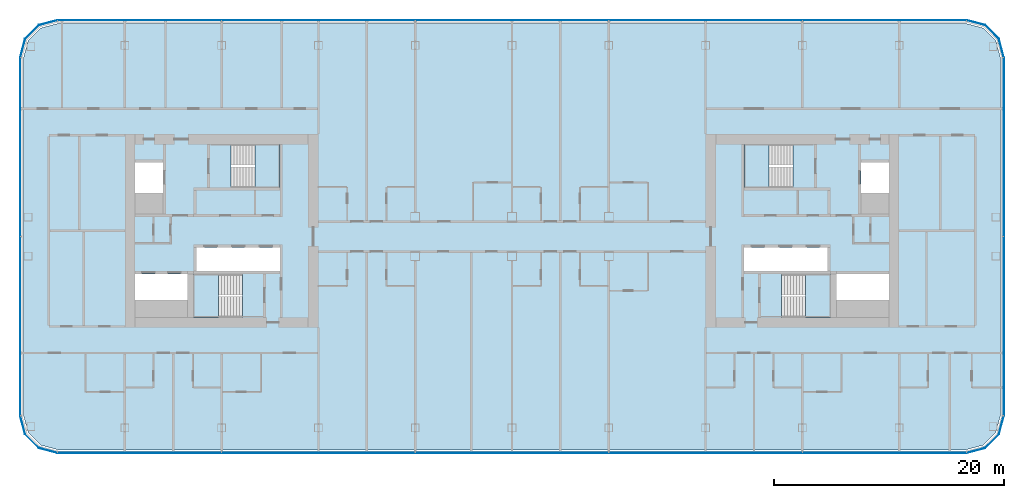
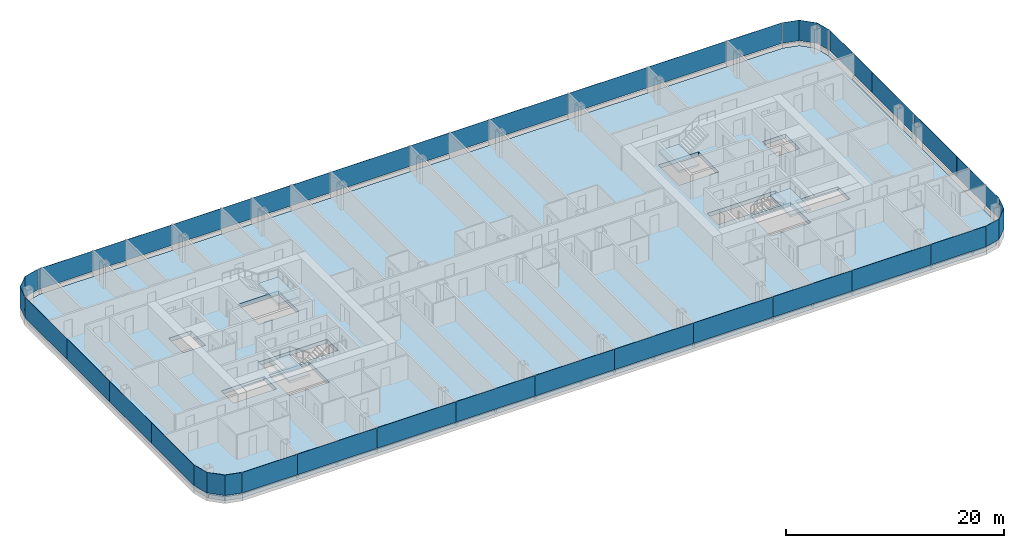
# One storey, part 11 of 26: 32 plates, 5 slabs, 12 elements without a shape of their own.
"""IFC4 building model written with IfcOpenShell, lengths in metres."""

from ifc_helpers import new_model, si_unit, direction, frame, origin, origin_2d, place, context, subcontext, project, spatial, polyline, rectangle, outline, extrude, material, layer, layer_set, type_object, element, aggregate, save


model = new_model("IFC4")

# Units and contexts
model_context = context("Model", 3, precision=1e-05, world=origin(), true_north=direction((0.0, 1.0)))
body_context = subcontext(model_context, "Body", "Model", "MODEL_VIEW")
ifc_project = project(units=[si_unit("LENGTHUNIT", "METRE"), si_unit("AREAUNIT", "SQUARE_METRE"), si_unit("VOLUMEUNIT", "CUBIC_METRE"), si_unit("PLANEANGLEUNIT", "RADIAN"), si_unit("MASSUNIT", "GRAM", prefix="KILO")], contexts=[model_context])

# Site, building, storey
site_placement = place(None, origin())
site = spatial("IfcSite", under=ifc_project, at=site_placement, CompositionType="ELEMENT")
building_placement = place(site_placement, origin())
building = spatial("IfcBuilding", under=site, at=building_placement, Name="Hakoniwa Tower and Hamabe Station Hall", CompositionType="ELEMENT")
storey_placement = place(building_placement, frame((0.0, 0.0, 156.60009765625)))
storey = spatial("IfcBuildingStorey", under=building, at=storey_placement, Name="L44", CompositionType="ELEMENT", Elevation=156.60009765625)

# Stair, slab
ifc_material_1 = material(Name="Concrete C40", Category="concrete")
stair_type = type_object("IfcStairType", Name="ESCAPE STAIR 1800", PredefinedType="HALF_TURN_STAIR", material=ifc_material_1)
stair_1_placement = place(storey_placement, origin())
stair_1 = element("IfcStair", 1, at=stair_1_placement, inside=storey, type_object=stair_type, Name="Escape stair ST-1 L44", PredefinedType="HALF_TURN_STAIR")
ifc_material_2 = material(Name="Concrete C40", Category="concrete")
ifc_layer_1 = layer(ifc_material_2, 0.25)
ifc_layer_set_1 = layer_set([ifc_layer_1], Name="CORE STAIR LANDING 250")
slab_type_1 = type_object("IfcSlabType", Name="CORE STAIR LANDING 250", PredefinedType="LANDING", material=ifc_layer_set_1)
slab_1_placement = place(storey_placement, frame((0.0, 0.0, 1.349853515625)))
slab_1 = element("IfcSlab", 2, at=slab_1_placement, type_object=slab_type_1, Name="ST-1 landing 1", PredefinedType="LANDING", context=body_context, shape_type="SweptSolid", body=[
    extrude(outline(polyline([(-22.320068359375, 3.75), (-20.14990234375, 3.75), (-20.14990234375, 7.5), (-22.320068359375, 7.5), (-22.320068359375, 3.75)])), origin(), (0.0, 0.0, 1.0), 0.25),
])
aggregate(stair_1, [slab_1])

stair_2_placement = place(storey_placement, origin())
stair_2 = element("IfcStair", 3, at=stair_2_placement, inside=storey, type_object=stair_type, Name="Escape stair ST-2 L44", PredefinedType="HALF_TURN_STAIR")
slab_2_placement = place(storey_placement, frame((0.0, 0.0, 1.349853515625)))
slab_2 = element("IfcSlab", 4, at=slab_2_placement, type_object=slab_type_1, Name="ST-2 landing 1", PredefinedType="LANDING", context=body_context, shape_type="SweptSolid", body=[
    extrude(outline(polyline([(-25.47998046875, -7.5), (-27.64990234375, -7.5), (-27.64990234375, -3.75), (-25.47998046875, -3.75), (-25.47998046875, -7.5)])), origin(), (0.0, 0.0, 1.0), 0.25),
])
aggregate(stair_2, [slab_2])

stair_3_placement = place(storey_placement, origin())
stair_3 = element("IfcStair", 5, at=stair_3_placement, inside=storey, type_object=stair_type, Name="Escape stair ST-3 L44", PredefinedType="HALF_TURN_STAIR")
slab_3_placement = place(storey_placement, frame((0.0, 0.0, 1.349853515625)))
slab_3 = element("IfcSlab", 6, at=slab_3_placement, type_object=slab_type_1, Name="ST-3 landing 1", PredefinedType="LANDING", context=body_context, shape_type="SweptSolid", body=[
    extrude(outline(polyline([(22.320068359375, 3.75), (20.14990234375, 3.75), (20.14990234375, 7.5), (22.320068359375, 7.5), (22.320068359375, 3.75)])), origin(), (0.0, 0.0, 1.0), 0.25),
])
aggregate(stair_3, [slab_3])

stair_4_placement = place(storey_placement, origin())
stair_4 = element("IfcStair", 7, at=stair_4_placement, inside=storey, type_object=stair_type, Name="Escape stair ST-4 L44", PredefinedType="HALF_TURN_STAIR")
slab_4_placement = place(storey_placement, frame((0.0, 0.0, 1.349853515625)))
slab_4 = element("IfcSlab", 8, at=slab_4_placement, type_object=slab_type_1, Name="ST-4 landing 1", PredefinedType="LANDING", context=body_context, shape_type="SweptSolid", body=[
    extrude(outline(polyline([(25.47998046875, -7.5), (27.64990234375, -7.5), (27.64990234375, -3.75), (25.47998046875, -3.75), (25.47998046875, -7.5)])), origin(), (0.0, 0.0, 1.0), 0.25),
])
aggregate(stair_4, [slab_4])

# Curtain wall, plates
ifc_material_3 = material(Name="Dark low-e laminated glass", Category="glass")
ifc_layer_2 = layer(ifc_material_3, 0.199951171875)
ifc_layer_set_2 = layer_set([ifc_layer_2], Name="CW-1 UNITISED GUEST")
curtain_wall_type = type_object("IfcCurtainWallType", Name="CW-1 UNITISED GUEST", PredefinedType="NOTDEFINED", material=ifc_layer_set_2)
curtain_wall_1_placement = place(storey_placement, origin())
curtain_wall_1 = element("IfcCurtainWall", 9, at=curtain_wall_1_placement, inside=storey, type_object=curtain_wall_type, Name="CW-1 curtain wall", PredefinedType="NOTDEFINED")
ifc_material_4 = material(Name="Dark low-e laminated glass", Category="glass")
ifc_layer_3 = layer(ifc_material_4, 0.028076171875)
ifc_layer_set_3 = layer_set([ifc_layer_3], Name="CW-1 GLASS UNIT")
plate_type = type_object("IfcPlateType", Name="CW-1 GLASS UNIT", PredefinedType="CURTAIN_PANEL", material=ifc_layer_set_3)
plate_1_placement = place(storey_placement, frame((42.68603515625, -12.154541015625, 0.35009765625), z_axis=(0.0, 0.0, 1.0), x_axis=(0.0, 1.0, 0.0)))
plate_1 = element("IfcPlate", 10, at=plate_1_placement, type_object=plate_type, Name="CW-1 glass unit", PredefinedType="CURTAIN_PANEL", context=body_context, shape_type="SweptSolid", body=[
    extrude(rectangle(XDim=7.749755859375, YDim=0.028076171875, at=origin_2d()), origin(), (0.0, 0.0, 1.0), 2.300048828125),
])
plate_2_placement = place(storey_placement, frame((42.68603515625, -4.384765625, 0.35009765625), z_axis=(0.0, 0.0, 1.0), x_axis=(0.0, 1.0, 0.0)))
plate_2 = element("IfcPlate", 11, at=plate_2_placement, type_object=plate_type, Name="CW-1 glass unit", PredefinedType="CURTAIN_PANEL", context=body_context, shape_type="SweptSolid", body=[
    extrude(rectangle(XDim=7.749755859375, YDim=0.028076171875, at=origin_2d()), origin(), (0.0, 0.0, 1.0), 2.300048828125),
])
plate_3_placement = place(storey_placement, frame((42.68603515625, 3.384765625, 0.35009765625), z_axis=(0.0, 0.0, 1.0), x_axis=(0.0, 1.0, 0.0)))
plate_3 = element("IfcPlate", 12, at=plate_3_placement, type_object=plate_type, Name="CW-1 glass unit", PredefinedType="CURTAIN_PANEL", context=body_context, shape_type="SweptSolid", body=[
    extrude(rectangle(XDim=7.749755859375, YDim=0.028076171875, at=origin_2d()), origin(), (0.0, 0.0, 1.0), 2.300048828125),
])
plate_4_placement = place(storey_placement, frame((42.68603515625, 11.154541015625, 0.35009765625), z_axis=(0.0, 0.0, 1.0), x_axis=(0.0, 1.0, 0.0)))
plate_4 = element("IfcPlate", 13, at=plate_4_placement, type_object=plate_type, Name="CW-1 glass unit", PredefinedType="CURTAIN_PANEL", context=body_context, shape_type="SweptSolid", body=[
    extrude(rectangle(XDim=7.749755859375, YDim=0.028076171875, at=origin_2d()), origin(), (0.0, 0.0, 1.0), 2.300048828125),
])
aggregate(curtain_wall_1, [plate_1, plate_2, plate_3, plate_4])

# Curtain wall, plate
curtain_wall_2_placement = place(storey_placement, origin())
curtain_wall_2 = element("IfcCurtainWall", 14, at=curtain_wall_2_placement, inside=storey, type_object=curtain_wall_type, Name="CW-1 curtain wall", PredefinedType="NOTDEFINED")
plate_5_placement = place(storey_placement, frame((0.0, 0.0, 0.349853515625)))
plate_5 = element("IfcPlate", 15, at=plate_5_placement, type_object=plate_type, Name="CW-1 curved corner unit", PredefinedType="CURTAIN_PANEL", context=body_context, shape_type="SweptSolid", body=[
    extrude(outline(polyline([(42.689697265625, 15.078125), (42.26708984375, 16.6552734375), (41.05517578125, 17.866943359375), (39.47802734375, 18.28955078125), (39.470947265625, 18.2626953125), (41.040771484375, 17.842041015625), (42.241943359375, 16.640869140625), (42.66259765625, 15.07080078125), (42.689697265625, 15.078125)])), origin(), (0.0, 0.0, 1.0), 2.300048828125),
])
aggregate(curtain_wall_2, [plate_5])

# Curtain wall, plates
curtain_wall_3_placement = place(storey_placement, origin())
curtain_wall_3 = element("IfcCurtainWall", 16, at=curtain_wall_3_placement, inside=storey, type_object=curtain_wall_type, Name="CW-1 curtain wall", PredefinedType="NOTDEFINED")
plate_6_placement = place(storey_placement, frame((36.519775390625, 18.285888671875, 0.35009765625), z_axis=(0.0, 0.0, 1.0), x_axis=(-1.0, 0.0, 0.0)))
plate_6 = element("IfcPlate", 17, at=plate_6_placement, type_object=plate_type, Name="CW-1 glass unit", PredefinedType="CURTAIN_PANEL", context=body_context, shape_type="SweptSolid", body=[
    extrude(rectangle(XDim=5.819580078125, YDim=0.028076171875, at=origin_2d()), origin(), (0.0, 0.0, 1.0), 2.300048828125),
])
plate_7_placement = place(storey_placement, frame((29.39990234375, 18.285888671875, 0.35009765625), z_axis=(0.0, 0.0, 1.0), x_axis=(-1.0, 0.0, 0.0)))
plate_7 = element("IfcPlate", 18, at=plate_7_placement, type_object=plate_type, Name="CW-1 glass unit", PredefinedType="CURTAIN_PANEL", context=body_context, shape_type="SweptSolid", body=[
    extrude(rectangle(XDim=8.3798828125, YDim=0.028076171875, at=origin_2d()), origin(), (0.0, 0.0, 1.0), 2.300048828125),
])
plate_8_placement = place(storey_placement, frame((21.0, 18.285888671875, 0.35009765625), z_axis=(0.0, 0.0, 1.0), x_axis=(-1.0, 0.0, 0.0)))
plate_8 = element("IfcPlate", 19, at=plate_8_placement, type_object=plate_type, Name="CW-1 glass unit", PredefinedType="CURTAIN_PANEL", context=body_context, shape_type="SweptSolid", body=[
    extrude(rectangle(XDim=8.3798828125, YDim=0.028076171875, at=origin_2d()), origin(), (0.0, 0.0, 1.0), 2.300048828125),
])
plate_9_placement = place(storey_placement, frame((12.60009765625, 18.285888671875, 0.35009765625), z_axis=(0.0, 0.0, 1.0), x_axis=(-1.0, 0.0, 0.0)))
plate_9 = element("IfcPlate", 20, at=plate_9_placement, type_object=plate_type, Name="CW-1 glass unit", PredefinedType="CURTAIN_PANEL", context=body_context, shape_type="SweptSolid", body=[
    extrude(rectangle(XDim=8.3798828125, YDim=0.028076171875, at=origin_2d()), origin(), (0.0, 0.0, 1.0), 2.300048828125),
])
plate_10_placement = place(storey_placement, frame((4.199951171875, 18.285888671875, 0.35009765625), z_axis=(0.0, 0.0, 1.0), x_axis=(-1.0, 0.0, 0.0)))
plate_10 = element("IfcPlate", 21, at=plate_10_placement, type_object=plate_type, Name="CW-1 glass unit", PredefinedType="CURTAIN_PANEL", context=body_context, shape_type="SweptSolid", body=[
    extrude(rectangle(XDim=8.3798828125, YDim=0.028076171875, at=origin_2d()), origin(), (0.0, 0.0, 1.0), 2.300048828125),
])
plate_11_placement = place(storey_placement, frame((-4.199951171875, 18.285888671875, 0.35009765625), z_axis=(0.0, 0.0, 1.0), x_axis=(-1.0, 0.0, 0.0)))
plate_11 = element("IfcPlate", 22, at=plate_11_placement, type_object=plate_type, Name="CW-1 glass unit", PredefinedType="CURTAIN_PANEL", context=body_context, shape_type="SweptSolid", body=[
    extrude(rectangle(XDim=8.3798828125, YDim=0.028076171875, at=origin_2d()), origin(), (0.0, 0.0, 1.0), 2.300048828125),
])
plate_12_placement = place(storey_placement, frame((-12.60009765625, 18.285888671875, 0.35009765625), z_axis=(0.0, 0.0, 1.0), x_axis=(-1.0, 0.0, 0.0)))
plate_12 = element("IfcPlate", 23, at=plate_12_placement, type_object=plate_type, Name="CW-1 glass unit", PredefinedType="CURTAIN_PANEL", context=body_context, shape_type="SweptSolid", body=[
    extrude(rectangle(XDim=8.3798828125, YDim=0.028076171875, at=origin_2d()), origin(), (0.0, 0.0, 1.0), 2.300048828125),
])
plate_13_placement = place(storey_placement, frame((-21.0, 18.285888671875, 0.35009765625), z_axis=(0.0, 0.0, 1.0), x_axis=(-1.0, 0.0, 0.0)))
plate_13 = element("IfcPlate", 24, at=plate_13_placement, type_object=plate_type, Name="CW-1 glass unit", PredefinedType="CURTAIN_PANEL", context=body_context, shape_type="SweptSolid", body=[
    extrude(rectangle(XDim=8.3798828125, YDim=0.028076171875, at=origin_2d()), origin(), (0.0, 0.0, 1.0), 2.300048828125),
])
plate_14_placement = place(storey_placement, frame((-29.39990234375, 18.285888671875, 0.35009765625), z_axis=(0.0, 0.0, 1.0), x_axis=(-1.0, 0.0, 0.0)))
plate_14 = element("IfcPlate", 25, at=plate_14_placement, type_object=plate_type, Name="CW-1 glass unit", PredefinedType="CURTAIN_PANEL", context=body_context, shape_type="SweptSolid", body=[
    extrude(rectangle(XDim=8.3798828125, YDim=0.028076171875, at=origin_2d()), origin(), (0.0, 0.0, 1.0), 2.300048828125),
])
plate_15_placement = place(storey_placement, frame((-36.519775390625, 18.285888671875, 0.35009765625), z_axis=(0.0, 0.0, 1.0), x_axis=(-1.0, 0.0, 0.0)))
plate_15 = element("IfcPlate", 26, at=plate_15_placement, type_object=plate_type, Name="CW-1 glass unit", PredefinedType="CURTAIN_PANEL", context=body_context, shape_type="SweptSolid", body=[
    extrude(rectangle(XDim=5.819580078125, YDim=0.028076171875, at=origin_2d()), origin(), (0.0, 0.0, 1.0), 2.300048828125),
])
aggregate(curtain_wall_3, [plate_6, plate_7, plate_8, plate_9, plate_10, plate_11, plate_12, plate_13, plate_14, plate_15])

# Curtain wall, plate
curtain_wall_4_placement = place(storey_placement, origin())
curtain_wall_4 = element("IfcCurtainWall", 27, at=curtain_wall_4_placement, inside=storey, type_object=curtain_wall_type, Name="CW-1 curtain wall", PredefinedType="NOTDEFINED")
plate_16_placement = place(storey_placement, frame((0.0, 0.0, 0.349853515625)))
plate_16 = element("IfcPlate", 28, at=plate_16_placement, type_object=plate_type, Name="CW-1 curved corner unit", PredefinedType="CURTAIN_PANEL", context=body_context, shape_type="SweptSolid", body=[
    extrude(outline(polyline([(-39.47802734375, 18.28955078125), (-41.05517578125, 17.866943359375), (-42.26708984375, 16.6552734375), (-42.689697265625, 15.078125), (-42.66259765625, 15.07080078125), (-42.241943359375, 16.640869140625), (-41.040771484375, 17.842041015625), (-39.470947265625, 18.2626953125), (-39.47802734375, 18.28955078125)])), origin(), (0.0, 0.0, 1.0), 2.300048828125),
])
aggregate(curtain_wall_4, [plate_16])

# Curtain wall, plates
curtain_wall_5_placement = place(storey_placement, origin())
curtain_wall_5 = element("IfcCurtainWall", 29, at=curtain_wall_5_placement, inside=storey, type_object=curtain_wall_type, Name="CW-1 curtain wall", PredefinedType="NOTDEFINED")
plate_17_placement = place(storey_placement, frame((-42.68603515625, 11.154541015625, 0.35009765625), z_axis=(0.0, 0.0, 1.0), x_axis=(0.0, -1.0, 0.0)))
plate_17 = element("IfcPlate", 30, at=plate_17_placement, type_object=plate_type, Name="CW-1 glass unit", PredefinedType="CURTAIN_PANEL", context=body_context, shape_type="SweptSolid", body=[
    extrude(rectangle(XDim=7.749755859375, YDim=0.028076171875, at=origin_2d()), origin(), (0.0, 0.0, 1.0), 2.300048828125),
])
plate_18_placement = place(storey_placement, frame((-42.68603515625, 3.384765625, 0.35009765625), z_axis=(0.0, 0.0, 1.0), x_axis=(0.0, -1.0, 0.0)))
plate_18 = element("IfcPlate", 31, at=plate_18_placement, type_object=plate_type, Name="CW-1 glass unit", PredefinedType="CURTAIN_PANEL", context=body_context, shape_type="SweptSolid", body=[
    extrude(rectangle(XDim=7.749755859375, YDim=0.028076171875, at=origin_2d()), origin(), (0.0, 0.0, 1.0), 2.300048828125),
])
plate_19_placement = place(storey_placement, frame((-42.68603515625, -4.384765625, 0.35009765625), z_axis=(0.0, 0.0, 1.0), x_axis=(0.0, -1.0, 0.0)))
plate_19 = element("IfcPlate", 32, at=plate_19_placement, type_object=plate_type, Name="CW-1 glass unit", PredefinedType="CURTAIN_PANEL", context=body_context, shape_type="SweptSolid", body=[
    extrude(rectangle(XDim=7.749755859375, YDim=0.028076171875, at=origin_2d()), origin(), (0.0, 0.0, 1.0), 2.300048828125),
])
plate_20_placement = place(storey_placement, frame((-42.68603515625, -12.154541015625, 0.35009765625), z_axis=(0.0, 0.0, 1.0), x_axis=(0.0, -1.0, 0.0)))
plate_20 = element("IfcPlate", 33, at=plate_20_placement, type_object=plate_type, Name="CW-1 glass unit", PredefinedType="CURTAIN_PANEL", context=body_context, shape_type="SweptSolid", body=[
    extrude(rectangle(XDim=7.749755859375, YDim=0.028076171875, at=origin_2d()), origin(), (0.0, 0.0, 1.0), 2.300048828125),
])
aggregate(curtain_wall_5, [plate_17, plate_18, plate_19, plate_20])

# Curtain wall, plate
curtain_wall_6_placement = place(storey_placement, origin())
curtain_wall_6 = element("IfcCurtainWall", 34, at=curtain_wall_6_placement, inside=storey, type_object=curtain_wall_type, Name="CW-1 curtain wall", PredefinedType="NOTDEFINED")
plate_21_placement = place(storey_placement, frame((0.0, 0.0, 0.349853515625)))
plate_21 = element("IfcPlate", 35, at=plate_21_placement, type_object=plate_type, Name="CW-1 curved corner unit", PredefinedType="CURTAIN_PANEL", context=body_context, shape_type="SweptSolid", body=[
    extrude(outline(polyline([(-42.689697265625, -16.078125), (-42.26708984375, -17.6552734375), (-41.05517578125, -18.866943359375), (-39.47802734375, -19.28955078125), (-39.470947265625, -19.2626953125), (-41.040771484375, -18.842041015625), (-42.241943359375, -17.640869140625), (-42.66259765625, -16.07080078125), (-42.689697265625, -16.078125)])), origin(), (0.0, 0.0, 1.0), 2.300048828125),
])
aggregate(curtain_wall_6, [plate_21])

# Curtain wall, plates
curtain_wall_7_placement = place(storey_placement, origin())
curtain_wall_7 = element("IfcCurtainWall", 36, at=curtain_wall_7_placement, inside=storey, type_object=curtain_wall_type, Name="CW-1 curtain wall", PredefinedType="NOTDEFINED")
plate_22_placement = place(storey_placement, frame((-36.519775390625, -19.285888671875, 0.35009765625), z_axis=(0.0, 0.0, 1.0), x_axis=(1.0, 0.0, 0.0)))
plate_22 = element("IfcPlate", 37, at=plate_22_placement, type_object=plate_type, Name="CW-1 glass unit", PredefinedType="CURTAIN_PANEL", context=body_context, shape_type="SweptSolid", body=[
    extrude(rectangle(XDim=5.819580078125, YDim=0.028076171875, at=origin_2d()), origin(), (0.0, 0.0, 1.0), 2.300048828125),
])
plate_23_placement = place(storey_placement, frame((-29.39990234375, -19.285888671875, 0.35009765625), z_axis=(0.0, 0.0, 1.0), x_axis=(1.0, 0.0, 0.0)))
plate_23 = element("IfcPlate", 38, at=plate_23_placement, type_object=plate_type, Name="CW-1 glass unit", PredefinedType="CURTAIN_PANEL", context=body_context, shape_type="SweptSolid", body=[
    extrude(rectangle(XDim=8.3798828125, YDim=0.028076171875, at=origin_2d()), origin(), (0.0, 0.0, 1.0), 2.300048828125),
])
plate_24_placement = place(storey_placement, frame((-21.0, -19.285888671875, 0.35009765625), z_axis=(0.0, 0.0, 1.0), x_axis=(1.0, 0.0, 0.0)))
plate_24 = element("IfcPlate", 39, at=plate_24_placement, type_object=plate_type, Name="CW-1 glass unit", PredefinedType="CURTAIN_PANEL", context=body_context, shape_type="SweptSolid", body=[
    extrude(rectangle(XDim=8.3798828125, YDim=0.028076171875, at=origin_2d()), origin(), (0.0, 0.0, 1.0), 2.300048828125),
])
plate_25_placement = place(storey_placement, frame((-12.60009765625, -19.285888671875, 0.35009765625), z_axis=(0.0, 0.0, 1.0), x_axis=(1.0, 0.0, 0.0)))
plate_25 = element("IfcPlate", 40, at=plate_25_placement, type_object=plate_type, Name="CW-1 glass unit", PredefinedType="CURTAIN_PANEL", context=body_context, shape_type="SweptSolid", body=[
    extrude(rectangle(XDim=8.3798828125, YDim=0.028076171875, at=origin_2d()), origin(), (0.0, 0.0, 1.0), 2.300048828125),
])
plate_26_placement = place(storey_placement, frame((-4.199951171875, -19.285888671875, 0.35009765625), z_axis=(0.0, 0.0, 1.0), x_axis=(1.0, 0.0, 0.0)))
plate_26 = element("IfcPlate", 41, at=plate_26_placement, type_object=plate_type, Name="CW-1 glass unit", PredefinedType="CURTAIN_PANEL", context=body_context, shape_type="SweptSolid", body=[
    extrude(rectangle(XDim=8.3798828125, YDim=0.028076171875, at=origin_2d()), origin(), (0.0, 0.0, 1.0), 2.300048828125),
])
plate_27_placement = place(storey_placement, frame((4.199951171875, -19.285888671875, 0.35009765625), z_axis=(0.0, 0.0, 1.0), x_axis=(1.0, 0.0, 0.0)))
plate_27 = element("IfcPlate", 42, at=plate_27_placement, type_object=plate_type, Name="CW-1 glass unit", PredefinedType="CURTAIN_PANEL", context=body_context, shape_type="SweptSolid", body=[
    extrude(rectangle(XDim=8.3798828125, YDim=0.028076171875, at=origin_2d()), origin(), (0.0, 0.0, 1.0), 2.300048828125),
])
plate_28_placement = place(storey_placement, frame((12.60009765625, -19.285888671875, 0.35009765625), z_axis=(0.0, 0.0, 1.0), x_axis=(1.0, 0.0, 0.0)))
plate_28 = element("IfcPlate", 43, at=plate_28_placement, type_object=plate_type, Name="CW-1 glass unit", PredefinedType="CURTAIN_PANEL", context=body_context, shape_type="SweptSolid", body=[
    extrude(rectangle(XDim=8.3798828125, YDim=0.028076171875, at=origin_2d()), origin(), (0.0, 0.0, 1.0), 2.300048828125),
])
plate_29_placement = place(storey_placement, frame((21.0, -19.285888671875, 0.35009765625), z_axis=(0.0, 0.0, 1.0), x_axis=(1.0, 0.0, 0.0)))
plate_29 = element("IfcPlate", 44, at=plate_29_placement, type_object=plate_type, Name="CW-1 glass unit", PredefinedType="CURTAIN_PANEL", context=body_context, shape_type="SweptSolid", body=[
    extrude(rectangle(XDim=8.3798828125, YDim=0.028076171875, at=origin_2d()), origin(), (0.0, 0.0, 1.0), 2.300048828125),
])
plate_30_placement = place(storey_placement, frame((29.39990234375, -19.285888671875, 0.35009765625), z_axis=(0.0, 0.0, 1.0), x_axis=(1.0, 0.0, 0.0)))
plate_30 = element("IfcPlate", 45, at=plate_30_placement, type_object=plate_type, Name="CW-1 glass unit", PredefinedType="CURTAIN_PANEL", context=body_context, shape_type="SweptSolid", body=[
    extrude(rectangle(XDim=8.3798828125, YDim=0.028076171875, at=origin_2d()), origin(), (0.0, 0.0, 1.0), 2.300048828125),
])
plate_31_placement = place(storey_placement, frame((36.519775390625, -19.285888671875, 0.35009765625), z_axis=(0.0, 0.0, 1.0), x_axis=(1.0, 0.0, 0.0)))
plate_31 = element("IfcPlate", 46, at=plate_31_placement, type_object=plate_type, Name="CW-1 glass unit", PredefinedType="CURTAIN_PANEL", context=body_context, shape_type="SweptSolid", body=[
    extrude(rectangle(XDim=5.819580078125, YDim=0.028076171875, at=origin_2d()), origin(), (0.0, 0.0, 1.0), 2.300048828125),
])
aggregate(curtain_wall_7, [plate_22, plate_23, plate_24, plate_25, plate_26, plate_27, plate_28, plate_29, plate_30, plate_31])

# Curtain wall, plate
curtain_wall_8_placement = place(storey_placement, origin())
curtain_wall_8 = element("IfcCurtainWall", 47, at=curtain_wall_8_placement, inside=storey, type_object=curtain_wall_type, Name="CW-1 curtain wall", PredefinedType="NOTDEFINED")
plate_32_placement = place(storey_placement, frame((0.0, 0.0, 0.349853515625)))
plate_32 = element("IfcPlate", 48, at=plate_32_placement, type_object=plate_type, Name="CW-1 curved corner unit", PredefinedType="CURTAIN_PANEL", context=body_context, shape_type="SweptSolid", body=[
    extrude(outline(polyline([(39.47802734375, -19.28955078125), (41.05517578125, -18.866943359375), (42.26708984375, -17.6552734375), (42.689697265625, -16.078125), (42.66259765625, -16.07080078125), (42.241943359375, -17.640869140625), (41.040771484375, -18.842041015625), (39.470947265625, -19.2626953125), (39.47802734375, -19.28955078125)])), origin(), (0.0, 0.0, 1.0), 2.300048828125),
])
aggregate(curtain_wall_8, [plate_32])

# Slab
ifc_material_5 = material(Name="Concrete C42", Category="concrete")
ifc_layer_4 = layer(ifc_material_5, 0.449951171875)
ifc_layer_set_4 = layer_set([ifc_layer_4], Name="PT FLAT PLATE 450")
slab_type_2 = type_object("IfcSlabType", Name="PT FLAT PLATE 450", PredefinedType="FLOOR", material=ifc_layer_set_4)
slab_5_placement = place(storey_placement, frame((0.0, 0.0, -0.4501953125)))
element("IfcSlab", 49, at=slab_5_placement, inside=storey, type_object=slab_type_2, Name="Floor slab L44", PredefinedType="FLOOR", context=body_context, shape_type="SweptSolid", body=[
    extrude(outline(polyline([(42.39990234375, -16.0), (42.39990234375, 15.0), (41.998046875, 16.5), (40.89990234375, 17.59814453125), (39.39990234375, 18.0), (-39.39990234375, 18.0), (-40.89990234375, 17.59814453125), (-41.998046875, 16.5), (-42.39990234375, 15.0), (-42.39990234375, -16.0), (-41.998046875, -17.5), (-40.89990234375, -18.59814453125), (-39.39990234375, -19.0), (39.39990234375, -19.0), (40.89990234375, -18.59814453125), (41.998046875, -17.5), (42.39990234375, -16.0)]), holes=[polyline([(-27.39990234375, -3.5), (-27.39990234375, -1.449951171875), (-20.14990234375, -1.449951171875), (-20.14990234375, -3.5), (-27.39990234375, -3.5)]), polyline([(-32.699951171875, 3.300048828125), (-32.699951171875, 5.949951171875), (-30.300048828125, 5.949951171875), (-30.300048828125, 3.300048828125), (-32.699951171875, 3.300048828125)]), polyline([(-32.699951171875, -6.0), (-32.699951171875, -3.75), (-28.14990234375, -3.75), (-28.14990234375, -6.0), (-32.699951171875, -6.0)]), polyline([(-24.389892578125, 3.75), (-24.389892578125, 7.5), (-20.14990234375, 7.5), (-20.14990234375, 3.75), (-24.389892578125, 3.75)]), polyline([(-27.64990234375, -7.5), (-27.64990234375, -3.75), (-23.409912109375, -3.75), (-23.409912109375, -7.5), (-27.64990234375, -7.5)]), polyline([(20.14990234375, -3.5), (20.14990234375, -1.449951171875), (27.39990234375, -1.449951171875), (27.39990234375, -3.5), (20.14990234375, -3.5)]), polyline([(30.300048828125, 3.300048828125), (30.300048828125, 5.949951171875), (32.699951171875, 5.949951171875), (32.699951171875, 3.300048828125), (30.300048828125, 3.300048828125)]), polyline([(28.14990234375, -6.0), (28.14990234375, -3.75), (32.699951171875, -3.75), (32.699951171875, -6.0), (28.14990234375, -6.0)]), polyline([(20.14990234375, 3.75), (20.14990234375, 7.5), (24.389892578125, 7.5), (24.389892578125, 3.75), (20.14990234375, 3.75)]), polyline([(23.409912109375, -7.5), (23.409912109375, -3.75), (27.64990234375, -3.75), (27.64990234375, -7.5), (23.409912109375, -7.5)])]), origin(), (0.0, 0.0, 1.0), 0.4501953125),
])

save(model, "model.ifc")
